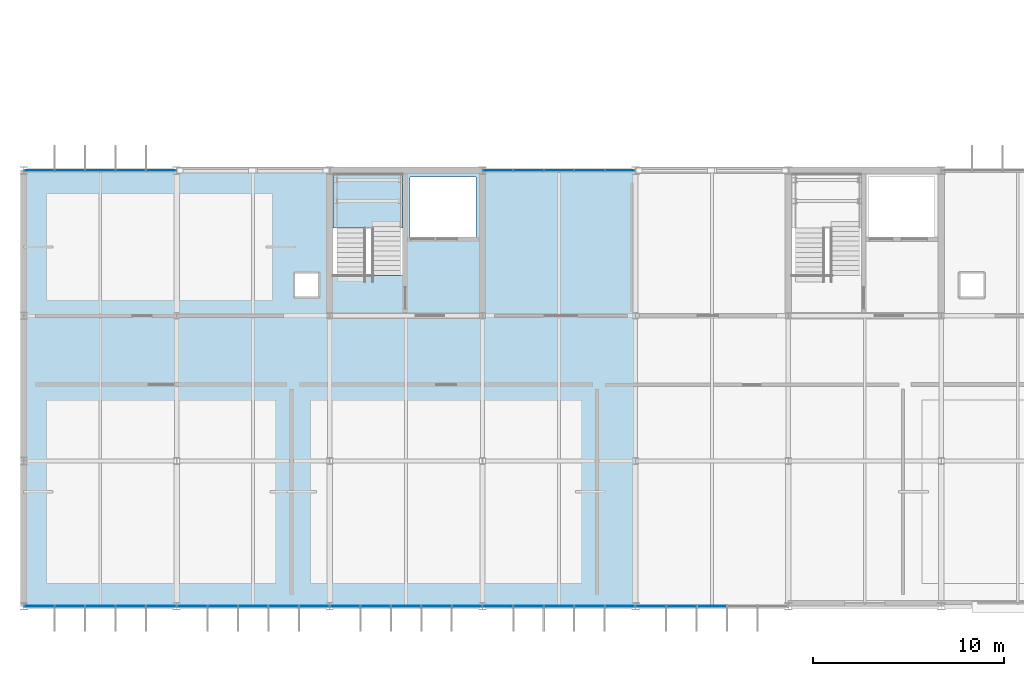
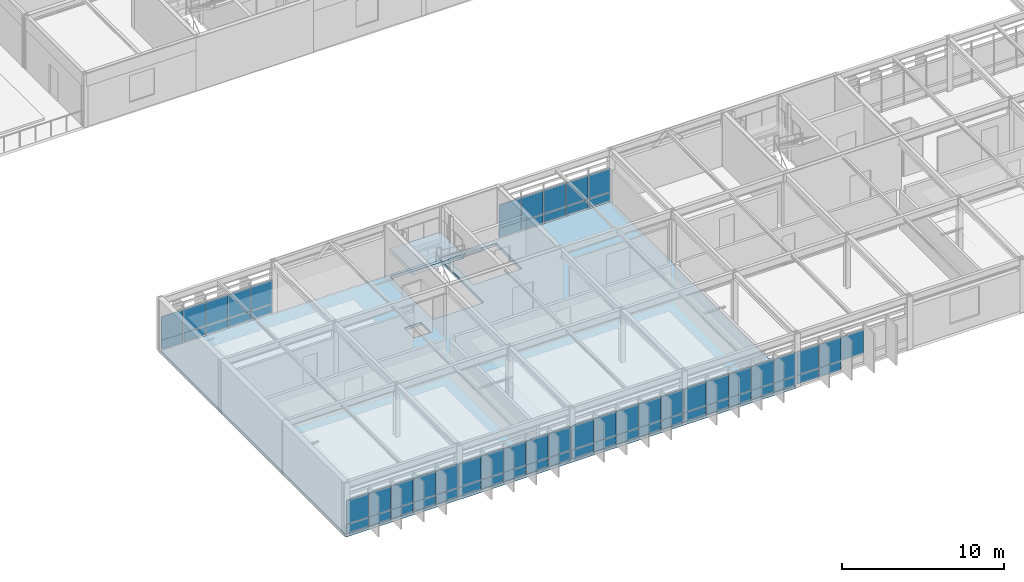
# One storey, part 60 of 85: 65 plates, 2 slabs, 8 elements without a shape of their own.
"""IFC4 building model written with IfcOpenShell, lengths in metres."""

from ifc_helpers import new_model, si_unit, direction, frame, origin, origin_2d, place, context, subcontext, project, spatial, polyline, rectangle, outline, extrude, material, layer, layer_set, type_object, element, aggregate, save


model = new_model("IFC4")

# Units and contexts
model_context = context("Model", 3, precision=1e-05, world=origin(), true_north=direction((0.0, 1.0)))
body_context = subcontext(model_context, "Body", "Model", "MODEL_VIEW")
ifc_project = project(units=[si_unit("LENGTHUNIT", "METRE"), si_unit("AREAUNIT", "SQUARE_METRE"), si_unit("VOLUMEUNIT", "CUBIC_METRE"), si_unit("PLANEANGLEUNIT", "RADIAN"), si_unit("MASSUNIT", "GRAM", prefix="KILO")], contexts=[model_context])

# Site, building, storey
site_placement = place(None, origin())
site = spatial("IfcSite", under=ifc_project, at=site_placement, CompositionType="ELEMENT")
building_placement = place(site_placement, origin())
building = spatial("IfcBuilding", under=site, at=building_placement, Name="Zulena Civic Courthouse", CompositionType="ELEMENT")
storey_placement = place(building_placement, frame((0.0, 0.0, 25.199951171875)))
storey = spatial("IfcBuildingStorey", under=building, at=storey_placement, Name="L05", CompositionType="ELEMENT", Elevation=25.199951171875)

# Curtain wall, plates
ifc_material_1 = material(Name="Double-silver low-E laminated solar-control glass", Category="glass")
curtain_wall_type = type_object("IfcCurtainWallType", Name="CW_7964x3090", PredefinedType="USERDEFINED", material=ifc_material_1)
curtain_wall_1_placement = place(storey_placement, origin())
curtain_wall_1 = element("IfcCurtainWall", 1, at=curtain_wall_1_placement, inside=storey, type_object=curtain_wall_type, Name="cw:V2:L05:1:0", ObjectType="UNITISED CURTAIN WALL", PredefinedType="USERDEFINED")
ifc_material_2 = material(Name="Ceramic-fritted insulated spandrel glass", Category="glass")
ifc_layer_1 = layer(ifc_material_2, 0.0458984375)
ifc_layer_set_1 = layer_set([ifc_layer_1], Name="Ceramic-fritted insulated spandrel glass")
plate_type_1 = type_object("IfcPlateType", Name="CWPanel_Spandrel_46", PredefinedType="CURTAIN_PANEL", material=ifc_layer_set_1)
plate_1_placement = place(storey_placement, frame((4.814453125, 22.800048828125, 0.070068359375), z_axis=(0.0, 0.0, 1.0), x_axis=(1.0, 0.0, 0.0)))
plate_1 = element("IfcPlate", 2, at=plate_1_placement, type_object=plate_type_1, Name="cw:V2:L05:1:0:panS:0", PredefinedType="CURTAIN_PANEL", context=body_context, shape_type="SweptSolid", body=[
    extrude(rectangle(XDim=1.54296875, YDim=0.0458984375, at=origin_2d()), origin(), (0.0, 0.0, 1.0), 0.669921875),
])
plate_2_placement = place(storey_placement, frame((6.4072265625, 22.800048828125, 0.070068359375), z_axis=(0.0, 0.0, 1.0), x_axis=(1.0, 0.0, 0.0)))
plate_2 = element("IfcPlate", 3, at=plate_2_placement, type_object=plate_type_1, Name="cw:V2:L05:1:0:panS:1", PredefinedType="CURTAIN_PANEL", context=body_context, shape_type="SweptSolid", body=[
    extrude(rectangle(XDim=1.54296875, YDim=0.0458984375, at=origin_2d()), origin(), (0.0, 0.0, 1.0), 0.669921875),
])
plate_3_placement = place(storey_placement, frame((8.0, 22.800048828125, 0.070068359375), z_axis=(0.0, 0.0, 1.0), x_axis=(1.0, 0.0, 0.0)))
plate_3 = element("IfcPlate", 4, at=plate_3_placement, type_object=plate_type_1, Name="cw:V2:L05:1:0:panS:2", PredefinedType="CURTAIN_PANEL", context=body_context, shape_type="SweptSolid", body=[
    extrude(rectangle(XDim=1.54296875, YDim=0.0458984375, at=origin_2d()), origin(), (0.0, 0.0, 1.0), 0.669921875),
])
plate_4_placement = place(storey_placement, frame((9.5927734375, 22.800048828125, 0.070068359375), z_axis=(0.0, 0.0, 1.0), x_axis=(1.0, 0.0, 0.0)))
plate_4 = element("IfcPlate", 5, at=plate_4_placement, type_object=plate_type_1, Name="cw:V2:L05:1:0:panS:3", PredefinedType="CURTAIN_PANEL", context=body_context, shape_type="SweptSolid", body=[
    extrude(rectangle(XDim=1.54296875, YDim=0.0458984375, at=origin_2d()), origin(), (0.0, 0.0, 1.0), 0.669921875),
])
plate_5_placement = place(storey_placement, frame((11.185546875, 22.800048828125, 0.070068359375), z_axis=(0.0, 0.0, 1.0), x_axis=(1.0, 0.0, 0.0)))
plate_5 = element("IfcPlate", 6, at=plate_5_placement, type_object=plate_type_1, Name="cw:V2:L05:1:0:panS:4", PredefinedType="CURTAIN_PANEL", context=body_context, shape_type="SweptSolid", body=[
    extrude(rectangle(XDim=1.54296875, YDim=0.0458984375, at=origin_2d()), origin(), (0.0, 0.0, 1.0), 0.669921875),
])

curtain_wall_2_placement = place(storey_placement, origin())
curtain_wall_2 = element("IfcCurtainWall", 7, at=curtain_wall_2_placement, inside=storey, type_object=curtain_wall_type, Name="cw:V2:L05:1:3", ObjectType="UNITISED CURTAIN WALL", PredefinedType="USERDEFINED")
plate_6_placement = place(storey_placement, frame((28.814453125, 22.800048828125, 0.070068359375), z_axis=(0.0, 0.0, 1.0), x_axis=(1.0, 0.0, 0.0)))
plate_6 = element("IfcPlate", 8, at=plate_6_placement, type_object=plate_type_1, Name="cw:V2:L05:1:3:panS:0", PredefinedType="CURTAIN_PANEL", context=body_context, shape_type="SweptSolid", body=[
    extrude(rectangle(XDim=1.54296875, YDim=0.0458984375, at=origin_2d()), origin(), (0.0, 0.0, 1.0), 0.669921875),
])
plate_7_placement = place(storey_placement, frame((30.4072265625, 22.800048828125, 0.070068359375), z_axis=(0.0, 0.0, 1.0), x_axis=(1.0, 0.0, 0.0)))
plate_7 = element("IfcPlate", 9, at=plate_7_placement, type_object=plate_type_1, Name="cw:V2:L05:1:3:panS:1", PredefinedType="CURTAIN_PANEL", context=body_context, shape_type="SweptSolid", body=[
    extrude(rectangle(XDim=1.54296875, YDim=0.0458984375, at=origin_2d()), origin(), (0.0, 0.0, 1.0), 0.669921875),
])
plate_8_placement = place(storey_placement, frame((32.0, 22.800048828125, 0.070068359375), z_axis=(0.0, 0.0, 1.0), x_axis=(1.0, 0.0, 0.0)))
plate_8 = element("IfcPlate", 10, at=plate_8_placement, type_object=plate_type_1, Name="cw:V2:L05:1:3:panS:2", PredefinedType="CURTAIN_PANEL", context=body_context, shape_type="SweptSolid", body=[
    extrude(rectangle(XDim=1.54296875, YDim=0.0458984375, at=origin_2d()), origin(), (0.0, 0.0, 1.0), 0.669921875),
])
plate_9_placement = place(storey_placement, frame((33.5927734375, 22.800048828125, 0.070068359375), z_axis=(0.0, 0.0, 1.0), x_axis=(1.0, 0.0, 0.0)))
plate_9 = element("IfcPlate", 11, at=plate_9_placement, type_object=plate_type_1, Name="cw:V2:L05:1:3:panS:3", PredefinedType="CURTAIN_PANEL", context=body_context, shape_type="SweptSolid", body=[
    extrude(rectangle(XDim=1.54296875, YDim=0.0458984375, at=origin_2d()), origin(), (0.0, 0.0, 1.0), 0.669921875),
])
plate_10_placement = place(storey_placement, frame((35.185546875, 22.800048828125, 0.070068359375), z_axis=(0.0, 0.0, 1.0), x_axis=(1.0, 0.0, 0.0)))
plate_10 = element("IfcPlate", 12, at=plate_10_placement, type_object=plate_type_1, Name="cw:V2:L05:1:3:panS:4", PredefinedType="CURTAIN_PANEL", context=body_context, shape_type="SweptSolid", body=[
    extrude(rectangle(XDim=1.54296875, YDim=0.0458984375, at=origin_2d()), origin(), (0.0, 0.0, 1.0), 0.669921875),
])

curtain_wall_3_placement = place(storey_placement, origin())
curtain_wall_3 = element("IfcCurtainWall", 13, at=curtain_wall_3_placement, inside=storey, type_object=curtain_wall_type, Name="cw:V2:L05:3:3", ObjectType="UNITISED CURTAIN WALL", PredefinedType="USERDEFINED")
plate_11_placement = place(storey_placement, frame((38.4072265625, 0.0, 0.070068359375), z_axis=(0.0, 0.0, 1.0), x_axis=(-1.0, 0.0, 0.0)))
plate_11 = element("IfcPlate", 14, at=plate_11_placement, type_object=plate_type_1, Name="cw:V2:L05:3:3:panS:3", PredefinedType="CURTAIN_PANEL", context=body_context, shape_type="SweptSolid", body=[
    extrude(rectangle(XDim=1.54296875, YDim=0.0458984375, at=origin_2d()), origin(), (0.0, 0.0, 1.0), 0.669921875),
])
plate_12_placement = place(storey_placement, frame((36.814453125, 0.0, 0.070068359375), z_axis=(0.0, 0.0, 1.0), x_axis=(-1.0, 0.0, 0.0)))
plate_12 = element("IfcPlate", 15, at=plate_12_placement, type_object=plate_type_1, Name="cw:V2:L05:3:3:panS:4", PredefinedType="CURTAIN_PANEL", context=body_context, shape_type="SweptSolid", body=[
    extrude(rectangle(XDim=1.54296875, YDim=0.0458984375, at=origin_2d()), origin(), (0.0, 0.0, 1.0), 0.669921875),
])

curtain_wall_4_placement = place(storey_placement, origin())
curtain_wall_4 = element("IfcCurtainWall", 16, at=curtain_wall_4_placement, inside=storey, type_object=curtain_wall_type, Name="cw:V2:L05:3:4", ObjectType="UNITISED CURTAIN WALL", PredefinedType="USERDEFINED")
plate_13_placement = place(storey_placement, frame((35.185546875, 0.0, 0.070068359375), z_axis=(0.0, 0.0, 1.0), x_axis=(-1.0, 0.0, 0.0)))
plate_13 = element("IfcPlate", 17, at=plate_13_placement, type_object=plate_type_1, Name="cw:V2:L05:3:4:panS:0", PredefinedType="CURTAIN_PANEL", context=body_context, shape_type="SweptSolid", body=[
    extrude(rectangle(XDim=1.54296875, YDim=0.0458984375, at=origin_2d()), origin(), (0.0, 0.0, 1.0), 0.669921875),
])
plate_14_placement = place(storey_placement, frame((33.5927734375, 0.0, 0.070068359375), z_axis=(0.0, 0.0, 1.0), x_axis=(-1.0, 0.0, 0.0)))
plate_14 = element("IfcPlate", 18, at=plate_14_placement, type_object=plate_type_1, Name="cw:V2:L05:3:4:panS:1", PredefinedType="CURTAIN_PANEL", context=body_context, shape_type="SweptSolid", body=[
    extrude(rectangle(XDim=1.54296875, YDim=0.0458984375, at=origin_2d()), origin(), (0.0, 0.0, 1.0), 0.669921875),
])
plate_15_placement = place(storey_placement, frame((32.0, 0.0, 0.070068359375), z_axis=(0.0, 0.0, 1.0), x_axis=(-1.0, 0.0, 0.0)))
plate_15 = element("IfcPlate", 19, at=plate_15_placement, type_object=plate_type_1, Name="cw:V2:L05:3:4:panS:2", PredefinedType="CURTAIN_PANEL", context=body_context, shape_type="SweptSolid", body=[
    extrude(rectangle(XDim=1.54296875, YDim=0.0458984375, at=origin_2d()), origin(), (0.0, 0.0, 1.0), 0.669921875),
])
plate_16_placement = place(storey_placement, frame((30.4072265625, 0.0, 0.070068359375), z_axis=(0.0, 0.0, 1.0), x_axis=(-1.0, 0.0, 0.0)))
plate_16 = element("IfcPlate", 20, at=plate_16_placement, type_object=plate_type_1, Name="cw:V2:L05:3:4:panS:3", PredefinedType="CURTAIN_PANEL", context=body_context, shape_type="SweptSolid", body=[
    extrude(rectangle(XDim=1.54296875, YDim=0.0458984375, at=origin_2d()), origin(), (0.0, 0.0, 1.0), 0.669921875),
])
plate_17_placement = place(storey_placement, frame((28.814453125, 0.0, 0.070068359375), z_axis=(0.0, 0.0, 1.0), x_axis=(-1.0, 0.0, 0.0)))
plate_17 = element("IfcPlate", 21, at=plate_17_placement, type_object=plate_type_1, Name="cw:V2:L05:3:4:panS:4", PredefinedType="CURTAIN_PANEL", context=body_context, shape_type="SweptSolid", body=[
    extrude(rectangle(XDim=1.54296875, YDim=0.0458984375, at=origin_2d()), origin(), (0.0, 0.0, 1.0), 0.669921875),
])

curtain_wall_5_placement = place(storey_placement, origin())
curtain_wall_5 = element("IfcCurtainWall", 22, at=curtain_wall_5_placement, inside=storey, type_object=curtain_wall_type, Name="cw:V2:L05:3:5", ObjectType="UNITISED CURTAIN WALL", PredefinedType="USERDEFINED")
plate_18_placement = place(storey_placement, frame((27.185546875, 0.0, 0.070068359375), z_axis=(0.0, 0.0, 1.0), x_axis=(-1.0, 0.0, 0.0)))
plate_18 = element("IfcPlate", 23, at=plate_18_placement, type_object=plate_type_1, Name="cw:V2:L05:3:5:panS:0", PredefinedType="CURTAIN_PANEL", context=body_context, shape_type="SweptSolid", body=[
    extrude(rectangle(XDim=1.54296875, YDim=0.0458984375, at=origin_2d()), origin(), (0.0, 0.0, 1.0), 0.669921875),
])
plate_19_placement = place(storey_placement, frame((25.5927734375, 0.0, 0.070068359375), z_axis=(0.0, 0.0, 1.0), x_axis=(-1.0, 0.0, 0.0)))
plate_19 = element("IfcPlate", 24, at=plate_19_placement, type_object=plate_type_1, Name="cw:V2:L05:3:5:panS:1", PredefinedType="CURTAIN_PANEL", context=body_context, shape_type="SweptSolid", body=[
    extrude(rectangle(XDim=1.54296875, YDim=0.0458984375, at=origin_2d()), origin(), (0.0, 0.0, 1.0), 0.669921875),
])
plate_20_placement = place(storey_placement, frame((24.0, 0.0, 0.070068359375), z_axis=(0.0, 0.0, 1.0), x_axis=(-1.0, 0.0, 0.0)))
plate_20 = element("IfcPlate", 25, at=plate_20_placement, type_object=plate_type_1, Name="cw:V2:L05:3:5:panS:2", PredefinedType="CURTAIN_PANEL", context=body_context, shape_type="SweptSolid", body=[
    extrude(rectangle(XDim=1.54296875, YDim=0.0458984375, at=origin_2d()), origin(), (0.0, 0.0, 1.0), 0.669921875),
])
plate_21_placement = place(storey_placement, frame((22.4072265625, 0.0, 0.070068359375), z_axis=(0.0, 0.0, 1.0), x_axis=(-1.0, 0.0, 0.0)))
plate_21 = element("IfcPlate", 26, at=plate_21_placement, type_object=plate_type_1, Name="cw:V2:L05:3:5:panS:3", PredefinedType="CURTAIN_PANEL", context=body_context, shape_type="SweptSolid", body=[
    extrude(rectangle(XDim=1.54296875, YDim=0.0458984375, at=origin_2d()), origin(), (0.0, 0.0, 1.0), 0.669921875),
])
plate_22_placement = place(storey_placement, frame((20.814453125, 0.0, 0.070068359375), z_axis=(0.0, 0.0, 1.0), x_axis=(-1.0, 0.0, 0.0)))
plate_22 = element("IfcPlate", 27, at=plate_22_placement, type_object=plate_type_1, Name="cw:V2:L05:3:5:panS:4", PredefinedType="CURTAIN_PANEL", context=body_context, shape_type="SweptSolid", body=[
    extrude(rectangle(XDim=1.54296875, YDim=0.0458984375, at=origin_2d()), origin(), (0.0, 0.0, 1.0), 0.669921875),
])

curtain_wall_6_placement = place(storey_placement, origin())
curtain_wall_6 = element("IfcCurtainWall", 28, at=curtain_wall_6_placement, inside=storey, type_object=curtain_wall_type, Name="cw:V2:L05:3:6", ObjectType="UNITISED CURTAIN WALL", PredefinedType="USERDEFINED")
plate_23_placement = place(storey_placement, frame((19.185546875, 0.0, 0.070068359375), z_axis=(0.0, 0.0, 1.0), x_axis=(-1.0, 0.0, 0.0)))
plate_23 = element("IfcPlate", 29, at=plate_23_placement, type_object=plate_type_1, Name="cw:V2:L05:3:6:panS:0", PredefinedType="CURTAIN_PANEL", context=body_context, shape_type="SweptSolid", body=[
    extrude(rectangle(XDim=1.54296875, YDim=0.0458984375, at=origin_2d()), origin(), (0.0, 0.0, 1.0), 0.669921875),
])
plate_24_placement = place(storey_placement, frame((17.5927734375, 0.0, 0.070068359375), z_axis=(0.0, 0.0, 1.0), x_axis=(-1.0, 0.0, 0.0)))
plate_24 = element("IfcPlate", 30, at=plate_24_placement, type_object=plate_type_1, Name="cw:V2:L05:3:6:panS:1", PredefinedType="CURTAIN_PANEL", context=body_context, shape_type="SweptSolid", body=[
    extrude(rectangle(XDim=1.54296875, YDim=0.0458984375, at=origin_2d()), origin(), (0.0, 0.0, 1.0), 0.669921875),
])
plate_25_placement = place(storey_placement, frame((16.0, 0.0, 0.070068359375), z_axis=(0.0, 0.0, 1.0), x_axis=(-1.0, 0.0, 0.0)))
plate_25 = element("IfcPlate", 31, at=plate_25_placement, type_object=plate_type_1, Name="cw:V2:L05:3:6:panS:2", PredefinedType="CURTAIN_PANEL", context=body_context, shape_type="SweptSolid", body=[
    extrude(rectangle(XDim=1.54296875, YDim=0.0458984375, at=origin_2d()), origin(), (0.0, 0.0, 1.0), 0.669921875),
])
plate_26_placement = place(storey_placement, frame((14.4072265625, 0.0, 0.070068359375), z_axis=(0.0, 0.0, 1.0), x_axis=(-1.0, 0.0, 0.0)))
plate_26 = element("IfcPlate", 32, at=plate_26_placement, type_object=plate_type_1, Name="cw:V2:L05:3:6:panS:3", PredefinedType="CURTAIN_PANEL", context=body_context, shape_type="SweptSolid", body=[
    extrude(rectangle(XDim=1.54296875, YDim=0.0458984375, at=origin_2d()), origin(), (0.0, 0.0, 1.0), 0.669921875),
])
plate_27_placement = place(storey_placement, frame((12.814453125, 0.0, 0.070068359375), z_axis=(0.0, 0.0, 1.0), x_axis=(-1.0, 0.0, 0.0)))
plate_27 = element("IfcPlate", 33, at=plate_27_placement, type_object=plate_type_1, Name="cw:V2:L05:3:6:panS:4", PredefinedType="CURTAIN_PANEL", context=body_context, shape_type="SweptSolid", body=[
    extrude(rectangle(XDim=1.54296875, YDim=0.0458984375, at=origin_2d()), origin(), (0.0, 0.0, 1.0), 0.669921875),
])

curtain_wall_7_placement = place(storey_placement, origin())
curtain_wall_7 = element("IfcCurtainWall", 34, at=curtain_wall_7_placement, inside=storey, type_object=curtain_wall_type, Name="cw:V2:L05:3:7", ObjectType="UNITISED CURTAIN WALL", PredefinedType="USERDEFINED")
plate_28_placement = place(storey_placement, frame((11.185546875, 0.0, 0.070068359375), z_axis=(0.0, 0.0, 1.0), x_axis=(-1.0, 0.0, 0.0)))
plate_28 = element("IfcPlate", 35, at=plate_28_placement, type_object=plate_type_1, Name="cw:V2:L05:3:7:panS:0", PredefinedType="CURTAIN_PANEL", context=body_context, shape_type="SweptSolid", body=[
    extrude(rectangle(XDim=1.54296875, YDim=0.0458984375, at=origin_2d()), origin(), (0.0, 0.0, 1.0), 0.669921875),
])
plate_29_placement = place(storey_placement, frame((9.5927734375, 0.0, 0.070068359375), z_axis=(0.0, 0.0, 1.0), x_axis=(-1.0, 0.0, 0.0)))
plate_29 = element("IfcPlate", 36, at=plate_29_placement, type_object=plate_type_1, Name="cw:V2:L05:3:7:panS:1", PredefinedType="CURTAIN_PANEL", context=body_context, shape_type="SweptSolid", body=[
    extrude(rectangle(XDim=1.54296875, YDim=0.0458984375, at=origin_2d()), origin(), (0.0, 0.0, 1.0), 0.669921875),
])
plate_30_placement = place(storey_placement, frame((8.0, 0.0, 0.070068359375), z_axis=(0.0, 0.0, 1.0), x_axis=(-1.0, 0.0, 0.0)))
plate_30 = element("IfcPlate", 37, at=plate_30_placement, type_object=plate_type_1, Name="cw:V2:L05:3:7:panS:2", PredefinedType="CURTAIN_PANEL", context=body_context, shape_type="SweptSolid", body=[
    extrude(rectangle(XDim=1.54296875, YDim=0.0458984375, at=origin_2d()), origin(), (0.0, 0.0, 1.0), 0.669921875),
])
plate_31_placement = place(storey_placement, frame((6.4072265625, 0.0, 0.070068359375), z_axis=(0.0, 0.0, 1.0), x_axis=(-1.0, 0.0, 0.0)))
plate_31 = element("IfcPlate", 38, at=plate_31_placement, type_object=plate_type_1, Name="cw:V2:L05:3:7:panS:3", PredefinedType="CURTAIN_PANEL", context=body_context, shape_type="SweptSolid", body=[
    extrude(rectangle(XDim=1.54296875, YDim=0.0458984375, at=origin_2d()), origin(), (0.0, 0.0, 1.0), 0.669921875),
])
plate_32_placement = place(storey_placement, frame((4.814453125, 0.0, 0.070068359375), z_axis=(0.0, 0.0, 1.0), x_axis=(-1.0, 0.0, 0.0)))
plate_32 = element("IfcPlate", 39, at=plate_32_placement, type_object=plate_type_1, Name="cw:V2:L05:3:7:panS:4", PredefinedType="CURTAIN_PANEL", context=body_context, shape_type="SweptSolid", body=[
    extrude(rectangle(XDim=1.54296875, YDim=0.0458984375, at=origin_2d()), origin(), (0.0, 0.0, 1.0), 0.669921875),
])

# Plate
ifc_layer_2 = layer(ifc_material_1, 0.035888671875)
ifc_layer_set_2 = layer_set([ifc_layer_2], Name="Double-silver low-E laminated solar-control glass")
plate_type_2 = type_object("IfcPlateType", Name="CWPanel_Vision_36", PredefinedType="CURTAIN_PANEL", material=ifc_layer_set_2)
plate_33_placement = place(storey_placement, frame((4.814453125, 22.800048828125, 0.760009765625), z_axis=(0.0, 0.0, 1.0), x_axis=(1.0, 0.0, 0.0)))
plate_33 = element("IfcPlate", 40, at=plate_33_placement, type_object=plate_type_2, Name="cw:V2:L05:1:0:panV:0", PredefinedType="CURTAIN_PANEL", context=body_context, shape_type="SweptSolid", body=[
    extrude(rectangle(XDim=1.54296875, YDim=0.035888671875, at=origin_2d()), origin(), (0.0, 0.0, 1.0), 1.77001953125),
])

plate_34_placement = place(storey_placement, frame((6.4072265625, 22.800048828125, 0.760009765625), z_axis=(0.0, 0.0, 1.0), x_axis=(1.0, 0.0, 0.0)))
plate_34 = element("IfcPlate", 41, at=plate_34_placement, type_object=plate_type_2, Name="cw:V2:L05:1:0:panV:1", PredefinedType="CURTAIN_PANEL", context=body_context, shape_type="SweptSolid", body=[
    extrude(rectangle(XDim=1.54296875, YDim=0.035888671875, at=origin_2d()), origin(), (0.0, 0.0, 1.0), 1.77001953125),
])

plate_35_placement = place(storey_placement, frame((8.0, 22.800048828125, 0.760009765625), z_axis=(0.0, 0.0, 1.0), x_axis=(1.0, 0.0, 0.0)))
plate_35 = element("IfcPlate", 42, at=plate_35_placement, type_object=plate_type_2, Name="cw:V2:L05:1:0:panV:2", PredefinedType="CURTAIN_PANEL", context=body_context, shape_type="SweptSolid", body=[
    extrude(rectangle(XDim=1.54296875, YDim=0.035888671875, at=origin_2d()), origin(), (0.0, 0.0, 1.0), 1.77001953125),
])

plate_36_placement = place(storey_placement, frame((9.5927734375, 22.800048828125, 0.760009765625), z_axis=(0.0, 0.0, 1.0), x_axis=(1.0, 0.0, 0.0)))
plate_36 = element("IfcPlate", 43, at=plate_36_placement, type_object=plate_type_2, Name="cw:V2:L05:1:0:panV:3", PredefinedType="CURTAIN_PANEL", context=body_context, shape_type="SweptSolid", body=[
    extrude(rectangle(XDim=1.54296875, YDim=0.035888671875, at=origin_2d()), origin(), (0.0, 0.0, 1.0), 1.77001953125),
])

plate_37_placement = place(storey_placement, frame((11.185546875, 22.800048828125, 0.760009765625), z_axis=(0.0, 0.0, 1.0), x_axis=(1.0, 0.0, 0.0)))
plate_37 = element("IfcPlate", 44, at=plate_37_placement, type_object=plate_type_2, Name="cw:V2:L05:1:0:panV:4", PredefinedType="CURTAIN_PANEL", context=body_context, shape_type="SweptSolid", body=[
    extrude(rectangle(XDim=1.54296875, YDim=0.035888671875, at=origin_2d()), origin(), (0.0, 0.0, 1.0), 1.77001953125),
])

aggregate(curtain_wall_1, [plate_33, plate_1, plate_34, plate_2, plate_35, plate_3, plate_36, plate_4, plate_37, plate_5])

plate_38_placement = place(storey_placement, frame((28.814453125, 22.800048828125, 0.760009765625), z_axis=(0.0, 0.0, 1.0), x_axis=(1.0, 0.0, 0.0)))
plate_38 = element("IfcPlate", 45, at=plate_38_placement, type_object=plate_type_2, Name="cw:V2:L05:1:3:panV:0", PredefinedType="CURTAIN_PANEL", context=body_context, shape_type="SweptSolid", body=[
    extrude(rectangle(XDim=1.54296875, YDim=0.035888671875, at=origin_2d()), origin(), (0.0, 0.0, 1.0), 1.77001953125),
])

plate_39_placement = place(storey_placement, frame((30.4072265625, 22.800048828125, 0.760009765625), z_axis=(0.0, 0.0, 1.0), x_axis=(1.0, 0.0, 0.0)))
plate_39 = element("IfcPlate", 46, at=plate_39_placement, type_object=plate_type_2, Name="cw:V2:L05:1:3:panV:1", PredefinedType="CURTAIN_PANEL", context=body_context, shape_type="SweptSolid", body=[
    extrude(rectangle(XDim=1.54296875, YDim=0.035888671875, at=origin_2d()), origin(), (0.0, 0.0, 1.0), 1.77001953125),
])

plate_40_placement = place(storey_placement, frame((32.0, 22.800048828125, 0.760009765625), z_axis=(0.0, 0.0, 1.0), x_axis=(1.0, 0.0, 0.0)))
plate_40 = element("IfcPlate", 47, at=plate_40_placement, type_object=plate_type_2, Name="cw:V2:L05:1:3:panV:2", PredefinedType="CURTAIN_PANEL", context=body_context, shape_type="SweptSolid", body=[
    extrude(rectangle(XDim=1.54296875, YDim=0.035888671875, at=origin_2d()), origin(), (0.0, 0.0, 1.0), 1.77001953125),
])

plate_41_placement = place(storey_placement, frame((33.5927734375, 22.800048828125, 0.760009765625), z_axis=(0.0, 0.0, 1.0), x_axis=(1.0, 0.0, 0.0)))
plate_41 = element("IfcPlate", 48, at=plate_41_placement, type_object=plate_type_2, Name="cw:V2:L05:1:3:panV:3", PredefinedType="CURTAIN_PANEL", context=body_context, shape_type="SweptSolid", body=[
    extrude(rectangle(XDim=1.54296875, YDim=0.035888671875, at=origin_2d()), origin(), (0.0, 0.0, 1.0), 1.77001953125),
])

plate_42_placement = place(storey_placement, frame((35.185546875, 22.800048828125, 0.760009765625), z_axis=(0.0, 0.0, 1.0), x_axis=(1.0, 0.0, 0.0)))
plate_42 = element("IfcPlate", 49, at=plate_42_placement, type_object=plate_type_2, Name="cw:V2:L05:1:3:panV:4", PredefinedType="CURTAIN_PANEL", context=body_context, shape_type="SweptSolid", body=[
    extrude(rectangle(XDim=1.54296875, YDim=0.035888671875, at=origin_2d()), origin(), (0.0, 0.0, 1.0), 1.77001953125),
])

aggregate(curtain_wall_2, [plate_38, plate_6, plate_39, plate_7, plate_40, plate_8, plate_41, plate_9, plate_42, plate_10])

plate_43_placement = place(storey_placement, frame((40.0, 0.0, 0.760009765625), z_axis=(0.0, 0.0, 1.0), x_axis=(-1.0, 0.0, 0.0)))
plate_43 = element("IfcPlate", 50, at=plate_43_placement, type_object=plate_type_2, Name="cw:V2:L05:3:3:panV:2", PredefinedType="CURTAIN_PANEL", context=body_context, shape_type="SweptSolid", body=[
    extrude(rectangle(XDim=1.54296875, YDim=0.035888671875, at=origin_2d()), origin(), (0.0, 0.0, 1.0), 1.77001953125),
])

plate_44_placement = place(storey_placement, frame((38.4072265625, 0.0, 0.760009765625), z_axis=(0.0, 0.0, 1.0), x_axis=(-1.0, 0.0, 0.0)))
plate_44 = element("IfcPlate", 51, at=plate_44_placement, type_object=plate_type_2, Name="cw:V2:L05:3:3:panV:3", PredefinedType="CURTAIN_PANEL", context=body_context, shape_type="SweptSolid", body=[
    extrude(rectangle(XDim=1.54296875, YDim=0.035888671875, at=origin_2d()), origin(), (0.0, 0.0, 1.0), 1.77001953125),
])

plate_45_placement = place(storey_placement, frame((36.814453125, 0.0, 0.760009765625), z_axis=(0.0, 0.0, 1.0), x_axis=(-1.0, 0.0, 0.0)))
plate_45 = element("IfcPlate", 52, at=plate_45_placement, type_object=plate_type_2, Name="cw:V2:L05:3:3:panV:4", PredefinedType="CURTAIN_PANEL", context=body_context, shape_type="SweptSolid", body=[
    extrude(rectangle(XDim=1.54296875, YDim=0.035888671875, at=origin_2d()), origin(), (0.0, 0.0, 1.0), 1.77001953125),
])

aggregate(curtain_wall_3, [plate_43, plate_44, plate_11, plate_45, plate_12])

plate_46_placement = place(storey_placement, frame((35.185546875, 0.0, 0.760009765625), z_axis=(0.0, 0.0, 1.0), x_axis=(-1.0, 0.0, 0.0)))
plate_46 = element("IfcPlate", 53, at=plate_46_placement, type_object=plate_type_2, Name="cw:V2:L05:3:4:panV:0", PredefinedType="CURTAIN_PANEL", context=body_context, shape_type="SweptSolid", body=[
    extrude(rectangle(XDim=1.54296875, YDim=0.035888671875, at=origin_2d()), origin(), (0.0, 0.0, 1.0), 1.77001953125),
])

plate_47_placement = place(storey_placement, frame((33.5927734375, 0.0, 0.760009765625), z_axis=(0.0, 0.0, 1.0), x_axis=(-1.0, 0.0, 0.0)))
plate_47 = element("IfcPlate", 54, at=plate_47_placement, type_object=plate_type_2, Name="cw:V2:L05:3:4:panV:1", PredefinedType="CURTAIN_PANEL", context=body_context, shape_type="SweptSolid", body=[
    extrude(rectangle(XDim=1.54296875, YDim=0.035888671875, at=origin_2d()), origin(), (0.0, 0.0, 1.0), 1.77001953125),
])

plate_48_placement = place(storey_placement, frame((32.0, 0.0, 0.760009765625), z_axis=(0.0, 0.0, 1.0), x_axis=(-1.0, 0.0, 0.0)))
plate_48 = element("IfcPlate", 55, at=plate_48_placement, type_object=plate_type_2, Name="cw:V2:L05:3:4:panV:2", PredefinedType="CURTAIN_PANEL", context=body_context, shape_type="SweptSolid", body=[
    extrude(rectangle(XDim=1.54296875, YDim=0.035888671875, at=origin_2d()), origin(), (0.0, 0.0, 1.0), 1.77001953125),
])

plate_49_placement = place(storey_placement, frame((30.4072265625, 0.0, 0.760009765625), z_axis=(0.0, 0.0, 1.0), x_axis=(-1.0, 0.0, 0.0)))
plate_49 = element("IfcPlate", 56, at=plate_49_placement, type_object=plate_type_2, Name="cw:V2:L05:3:4:panV:3", PredefinedType="CURTAIN_PANEL", context=body_context, shape_type="SweptSolid", body=[
    extrude(rectangle(XDim=1.54296875, YDim=0.035888671875, at=origin_2d()), origin(), (0.0, 0.0, 1.0), 1.77001953125),
])

plate_50_placement = place(storey_placement, frame((28.814453125, 0.0, 0.760009765625), z_axis=(0.0, 0.0, 1.0), x_axis=(-1.0, 0.0, 0.0)))
plate_50 = element("IfcPlate", 57, at=plate_50_placement, type_object=plate_type_2, Name="cw:V2:L05:3:4:panV:4", PredefinedType="CURTAIN_PANEL", context=body_context, shape_type="SweptSolid", body=[
    extrude(rectangle(XDim=1.54296875, YDim=0.035888671875, at=origin_2d()), origin(), (0.0, 0.0, 1.0), 1.77001953125),
])

aggregate(curtain_wall_4, [plate_46, plate_13, plate_47, plate_14, plate_48, plate_15, plate_49, plate_16, plate_50, plate_17])

plate_51_placement = place(storey_placement, frame((27.185546875, 0.0, 0.760009765625), z_axis=(0.0, 0.0, 1.0), x_axis=(-1.0, 0.0, 0.0)))
plate_51 = element("IfcPlate", 58, at=plate_51_placement, type_object=plate_type_2, Name="cw:V2:L05:3:5:panV:0", PredefinedType="CURTAIN_PANEL", context=body_context, shape_type="SweptSolid", body=[
    extrude(rectangle(XDim=1.54296875, YDim=0.035888671875, at=origin_2d()), origin(), (0.0, 0.0, 1.0), 1.77001953125),
])

plate_52_placement = place(storey_placement, frame((25.5927734375, 0.0, 0.760009765625), z_axis=(0.0, 0.0, 1.0), x_axis=(-1.0, 0.0, 0.0)))
plate_52 = element("IfcPlate", 59, at=plate_52_placement, type_object=plate_type_2, Name="cw:V2:L05:3:5:panV:1", PredefinedType="CURTAIN_PANEL", context=body_context, shape_type="SweptSolid", body=[
    extrude(rectangle(XDim=1.54296875, YDim=0.035888671875, at=origin_2d()), origin(), (0.0, 0.0, 1.0), 1.77001953125),
])

plate_53_placement = place(storey_placement, frame((24.0, 0.0, 0.760009765625), z_axis=(0.0, 0.0, 1.0), x_axis=(-1.0, 0.0, 0.0)))
plate_53 = element("IfcPlate", 60, at=plate_53_placement, type_object=plate_type_2, Name="cw:V2:L05:3:5:panV:2", PredefinedType="CURTAIN_PANEL", context=body_context, shape_type="SweptSolid", body=[
    extrude(rectangle(XDim=1.54296875, YDim=0.035888671875, at=origin_2d()), origin(), (0.0, 0.0, 1.0), 1.77001953125),
])

plate_54_placement = place(storey_placement, frame((22.4072265625, 0.0, 0.760009765625), z_axis=(0.0, 0.0, 1.0), x_axis=(-1.0, 0.0, 0.0)))
plate_54 = element("IfcPlate", 61, at=plate_54_placement, type_object=plate_type_2, Name="cw:V2:L05:3:5:panV:3", PredefinedType="CURTAIN_PANEL", context=body_context, shape_type="SweptSolid", body=[
    extrude(rectangle(XDim=1.54296875, YDim=0.035888671875, at=origin_2d()), origin(), (0.0, 0.0, 1.0), 1.77001953125),
])

plate_55_placement = place(storey_placement, frame((20.814453125, 0.0, 0.760009765625), z_axis=(0.0, 0.0, 1.0), x_axis=(-1.0, 0.0, 0.0)))
plate_55 = element("IfcPlate", 62, at=plate_55_placement, type_object=plate_type_2, Name="cw:V2:L05:3:5:panV:4", PredefinedType="CURTAIN_PANEL", context=body_context, shape_type="SweptSolid", body=[
    extrude(rectangle(XDim=1.54296875, YDim=0.035888671875, at=origin_2d()), origin(), (0.0, 0.0, 1.0), 1.77001953125),
])

aggregate(curtain_wall_5, [plate_51, plate_18, plate_52, plate_19, plate_53, plate_20, plate_54, plate_21, plate_55, plate_22])

plate_56_placement = place(storey_placement, frame((19.185546875, 0.0, 0.760009765625), z_axis=(0.0, 0.0, 1.0), x_axis=(-1.0, 0.0, 0.0)))
plate_56 = element("IfcPlate", 63, at=plate_56_placement, type_object=plate_type_2, Name="cw:V2:L05:3:6:panV:0", PredefinedType="CURTAIN_PANEL", context=body_context, shape_type="SweptSolid", body=[
    extrude(rectangle(XDim=1.54296875, YDim=0.035888671875, at=origin_2d()), origin(), (0.0, 0.0, 1.0), 1.77001953125),
])

plate_57_placement = place(storey_placement, frame((17.5927734375, 0.0, 0.760009765625), z_axis=(0.0, 0.0, 1.0), x_axis=(-1.0, 0.0, 0.0)))
plate_57 = element("IfcPlate", 64, at=plate_57_placement, type_object=plate_type_2, Name="cw:V2:L05:3:6:panV:1", PredefinedType="CURTAIN_PANEL", context=body_context, shape_type="SweptSolid", body=[
    extrude(rectangle(XDim=1.54296875, YDim=0.035888671875, at=origin_2d()), origin(), (0.0, 0.0, 1.0), 1.77001953125),
])

plate_58_placement = place(storey_placement, frame((16.0, 0.0, 0.760009765625), z_axis=(0.0, 0.0, 1.0), x_axis=(-1.0, 0.0, 0.0)))
plate_58 = element("IfcPlate", 65, at=plate_58_placement, type_object=plate_type_2, Name="cw:V2:L05:3:6:panV:2", PredefinedType="CURTAIN_PANEL", context=body_context, shape_type="SweptSolid", body=[
    extrude(rectangle(XDim=1.54296875, YDim=0.035888671875, at=origin_2d()), origin(), (0.0, 0.0, 1.0), 1.77001953125),
])

plate_59_placement = place(storey_placement, frame((14.4072265625, 0.0, 0.760009765625), z_axis=(0.0, 0.0, 1.0), x_axis=(-1.0, 0.0, 0.0)))
plate_59 = element("IfcPlate", 66, at=plate_59_placement, type_object=plate_type_2, Name="cw:V2:L05:3:6:panV:3", PredefinedType="CURTAIN_PANEL", context=body_context, shape_type="SweptSolid", body=[
    extrude(rectangle(XDim=1.54296875, YDim=0.035888671875, at=origin_2d()), origin(), (0.0, 0.0, 1.0), 1.77001953125),
])

plate_60_placement = place(storey_placement, frame((12.814453125, 0.0, 0.760009765625), z_axis=(0.0, 0.0, 1.0), x_axis=(-1.0, 0.0, 0.0)))
plate_60 = element("IfcPlate", 67, at=plate_60_placement, type_object=plate_type_2, Name="cw:V2:L05:3:6:panV:4", PredefinedType="CURTAIN_PANEL", context=body_context, shape_type="SweptSolid", body=[
    extrude(rectangle(XDim=1.54296875, YDim=0.035888671875, at=origin_2d()), origin(), (0.0, 0.0, 1.0), 1.77001953125),
])

aggregate(curtain_wall_6, [plate_56, plate_23, plate_57, plate_24, plate_58, plate_25, plate_59, plate_26, plate_60, plate_27])

plate_61_placement = place(storey_placement, frame((11.185546875, 0.0, 0.760009765625), z_axis=(0.0, 0.0, 1.0), x_axis=(-1.0, 0.0, 0.0)))
plate_61 = element("IfcPlate", 68, at=plate_61_placement, type_object=plate_type_2, Name="cw:V2:L05:3:7:panV:0", PredefinedType="CURTAIN_PANEL", context=body_context, shape_type="SweptSolid", body=[
    extrude(rectangle(XDim=1.54296875, YDim=0.035888671875, at=origin_2d()), origin(), (0.0, 0.0, 1.0), 1.77001953125),
])

plate_62_placement = place(storey_placement, frame((9.5927734375, 0.0, 0.760009765625), z_axis=(0.0, 0.0, 1.0), x_axis=(-1.0, 0.0, 0.0)))
plate_62 = element("IfcPlate", 69, at=plate_62_placement, type_object=plate_type_2, Name="cw:V2:L05:3:7:panV:1", PredefinedType="CURTAIN_PANEL", context=body_context, shape_type="SweptSolid", body=[
    extrude(rectangle(XDim=1.54296875, YDim=0.035888671875, at=origin_2d()), origin(), (0.0, 0.0, 1.0), 1.77001953125),
])

plate_63_placement = place(storey_placement, frame((8.0, 0.0, 0.760009765625), z_axis=(0.0, 0.0, 1.0), x_axis=(-1.0, 0.0, 0.0)))
plate_63 = element("IfcPlate", 70, at=plate_63_placement, type_object=plate_type_2, Name="cw:V2:L05:3:7:panV:2", PredefinedType="CURTAIN_PANEL", context=body_context, shape_type="SweptSolid", body=[
    extrude(rectangle(XDim=1.54296875, YDim=0.035888671875, at=origin_2d()), origin(), (0.0, 0.0, 1.0), 1.77001953125),
])

plate_64_placement = place(storey_placement, frame((6.4072265625, 0.0, 0.760009765625), z_axis=(0.0, 0.0, 1.0), x_axis=(-1.0, 0.0, 0.0)))
plate_64 = element("IfcPlate", 71, at=plate_64_placement, type_object=plate_type_2, Name="cw:V2:L05:3:7:panV:3", PredefinedType="CURTAIN_PANEL", context=body_context, shape_type="SweptSolid", body=[
    extrude(rectangle(XDim=1.54296875, YDim=0.035888671875, at=origin_2d()), origin(), (0.0, 0.0, 1.0), 1.77001953125),
])

plate_65_placement = place(storey_placement, frame((4.814453125, 0.0, 0.760009765625), z_axis=(0.0, 0.0, 1.0), x_axis=(-1.0, 0.0, 0.0)))
plate_65 = element("IfcPlate", 72, at=plate_65_placement, type_object=plate_type_2, Name="cw:V2:L05:3:7:panV:4", PredefinedType="CURTAIN_PANEL", context=body_context, shape_type="SweptSolid", body=[
    extrude(rectangle(XDim=1.54296875, YDim=0.035888671875, at=origin_2d()), origin(), (0.0, 0.0, 1.0), 1.77001953125),
])

aggregate(curtain_wall_7, [plate_61, plate_28, plate_62, plate_29, plate_63, plate_30, plate_64, plate_31, plate_65, plate_32])

# Slab
ifc_material_3 = material(Name="Concrete C35/45", Category="concrete")
ifc_layer_3 = layer(ifc_material_3, 0.205078125)
ifc_layer_set_3 = layer_set([ifc_layer_3], Name="Concrete C35/45")
slab_type_1 = type_object("IfcSlabType", Name="FloorSlab_205", PredefinedType="FLOOR", material=ifc_layer_set_3)
slab_1_placement = place(storey_placement, frame((0.0, 0.0, -0.204833984375)))
element("IfcSlab", 73, at=slab_1_placement, inside=storey, type_object=slab_type_1, Name="slab:V2:L05_1", PredefinedType="FLOOR", context=body_context, shape_type="SweptSolid", body=[
    extrude(outline(polyline([(4.0, 0.0), (4.0, 22.800048828125), (36.0, 22.800048828125), (36.0, 0.0), (4.0, 0.0)]), holes=[polyline([(20.18994140625, 22.610107421875), (20.18994140625, 17.320068359375), (23.81005859375, 17.320068359375), (23.81005859375, 22.610107421875), (20.18994140625, 22.610107421875)]), polyline([(27.64990234375, 22.449951171875), (24.199951171875, 22.449951171875), (24.199951171875, 19.300048828125), (27.64990234375, 19.300048828125), (27.64990234375, 22.449951171875)]), polyline([(18.199951171875, 17.39990234375), (18.199951171875, 16.199951171875), (19.39990234375, 16.199951171875), (19.39990234375, 17.39990234375), (18.199951171875, 17.39990234375)])]), origin(), (0.0, 0.0, 1.0), 0.204833984375),
])

# Stair, slab
ifc_material_4 = material(Name="Precast concrete C40/50", Category="concrete")
stair_type = type_object("IfcStairType", Name="HalfTurnStair_4200", PredefinedType="HALF_TURN_STAIR", material=ifc_material_4)
stair_placement = place(storey_placement, origin())
stair = element("IfcStair", 74, at=stair_placement, inside=storey, type_object=stair_type, Name="stair:K2A:L05", PredefinedType="HALF_TURN_STAIR")
ifc_layer_4 = layer(ifc_material_4, 0.280029296875)
ifc_layer_set_4 = layer_set([ifc_layer_4], Name="Precast concrete C40/50")
slab_type_2 = type_object("IfcSlabType", Name="StairLandingSlab_280", PredefinedType="LANDING", material=ifc_layer_set_4)
slab_2_placement = place(storey_placement, frame((0.0, 0.0, 1.820068359375)))
slab_2 = element("IfcSlab", 75, at=slab_2_placement, type_object=slab_type_2, Name="stair:K2A:L05:LND", PredefinedType="LANDING", context=body_context, shape_type="SweptSolid", body=[
    extrude(outline(polyline([(20.179931640625, 19.78466796875), (23.820068359375, 19.78466796875), (23.820068359375, 22.6201171875), (20.179931640625, 22.6201171875), (20.179931640625, 19.78466796875)])), origin(), (0.0, 0.0, 1.0), 0.280029296875),
])
aggregate(stair, [slab_2])

save(model, "model.ifc")
